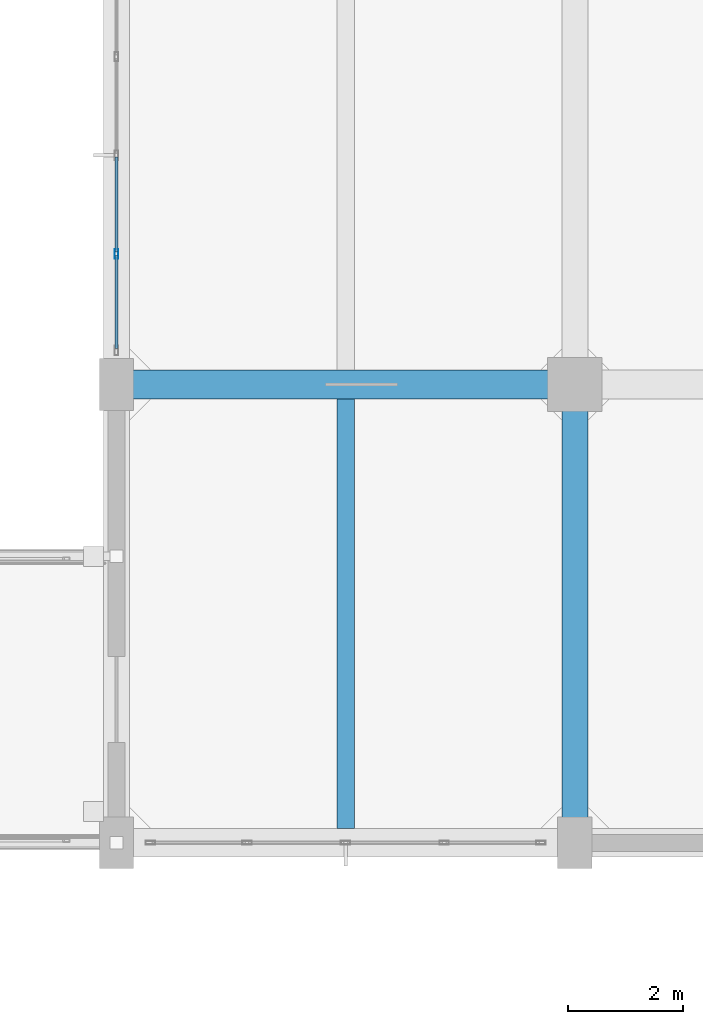
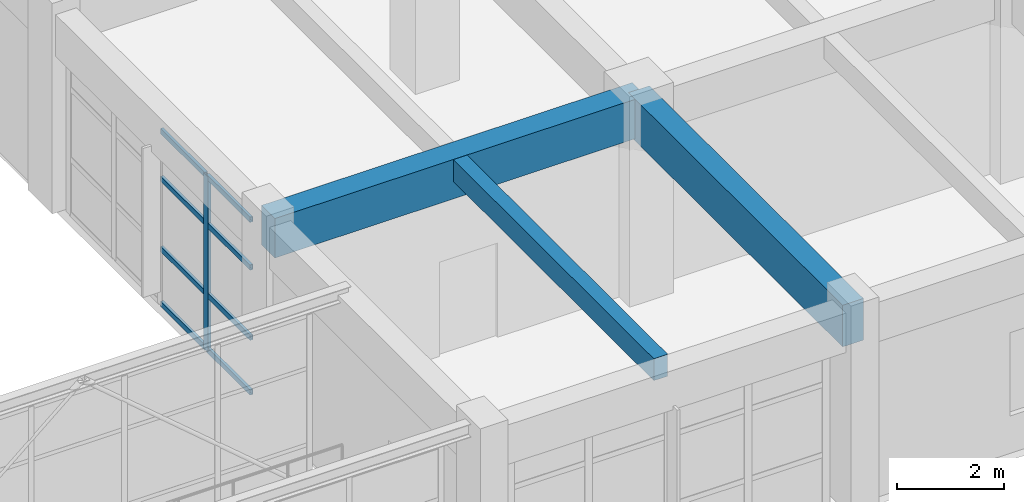
# One storey, part 106 of 248: 9 members, 3 beams, 1 element without a shape of its own.
"""IFC4 building model written with IfcOpenShell, lengths in metres."""

from ifc_helpers import new_model, si_unit, direction, frame, origin, origin_2d, place, context, subcontext, project, spatial, rectangle, hollow_rectangle, extrude, material, layer, layer_set, material_profile, profile_set, type_object, element, aggregate, save


model = new_model("IFC4")

# Units and contexts
model_context = context("Model", 3, precision=1e-05, world=origin(), true_north=direction((0.0, 1.0)))
body_context = subcontext(model_context, "Body", "Model", "MODEL_VIEW")
ifc_project = project(units=[si_unit("LENGTHUNIT", "METRE"), si_unit("AREAUNIT", "SQUARE_METRE"), si_unit("VOLUMEUNIT", "CUBIC_METRE"), si_unit("PLANEANGLEUNIT", "RADIAN"), si_unit("MASSUNIT", "GRAM", prefix="KILO")], contexts=[model_context])

# Site, building, storey
site_placement = place(None, origin())
site = spatial("IfcSite", under=ifc_project, at=site_placement, CompositionType="ELEMENT")
building_placement = place(site_placement, origin())
building = spatial("IfcBuilding", under=site, at=building_placement, Name="Canggui Botanical Conservatory", CompositionType="ELEMENT")
storey_placement = place(building_placement, frame((0.0, 0.0, 5.39990234375)))
storey = spatial("IfcBuildingStorey", under=building, at=storey_placement, Name="L02", CompositionType="ELEMENT", Elevation=5.39990234375)

# Beams
ifc_material_1 = material(Name="Concrete C35", Category="concrete")
ifc_material_profile_1 = material_profile(ifc_material_1, rectangle(XDim=0.300048828125, YDim=0.5, at=origin_2d()), Name="RB 300x500")
ifc_profile_set_1 = profile_set([ifc_material_profile_1], Name="Concrete C35")
beam_type_1 = type_object("IfcBeamType", Name="BM-JST02", PredefinedType="JOIST", material=ifc_profile_set_1)
beam_1_placement = place(storey_placement, frame((134.0, 26.2548828125, 4.27001953125), z_axis=(0.0, 1.0, 0.0), x_axis=(-1.0, 0.0, 0.0)))
element("IfcBeam", 1, at=beam_1_placement, inside=storey, type_object=beam_type_1, Name="Secondary Floor Joist L02-1-1", PredefinedType="JOIST", context=body_context, shape_type="SweptSolid", body=[
    extrude(rectangle(XDim=0.300048828125, YDim=0.5, at=origin_2d()), origin(), (0.0, 0.0, 1.0), 7.490234375),
])
ifc_material_profile_2 = material_profile(ifc_material_1, rectangle(XDim=0.5, YDim=0.89990234375, at=origin_2d()), Name="RB 500x900")
ifc_profile_set_2 = profile_set([ifc_material_profile_2], Name="Concrete C35")
beam_type_2 = type_object("IfcBeamType", Name="BM-KL03", PredefinedType="BEAM", material=ifc_profile_set_2)
beam_2_placement = place(storey_placement, frame((130.0, 34.0, 4.070068359375), z_axis=(1.0, 0.0, 0.0), x_axis=(0.0, 1.0, 0.0)))
element("IfcBeam", 2, at=beam_2_placement, inside=storey, type_object=beam_type_2, Name="Frame Girder L02 Y34-1", PredefinedType="BEAM", context=body_context, shape_type="SweptSolid", body=[
    extrude(rectangle(XDim=0.5, YDim=0.89990234375, at=origin_2d()), origin(), (0.0, 0.0, 1.0), 8.0),
])
ifc_material_profile_3 = material_profile(ifc_material_1, rectangle(XDim=0.449951171875, YDim=0.949951171875, at=origin_2d()), Name="RB 450x950")
ifc_profile_set_3 = profile_set([ifc_material_profile_3], Name="Concrete C35")
beam_type_3 = type_object("IfcBeamType", Name="BM-KL04", PredefinedType="BEAM", material=ifc_profile_set_3)
beam_3_placement = place(storey_placement, frame((138.0, 26.0, 4.045166015625), z_axis=(0.0, 1.0, 0.0), x_axis=(-1.0, 0.0, 0.0)))
element("IfcBeam", 3, at=beam_3_placement, inside=storey, type_object=beam_type_3, Name="Frame Girder L02 X138-1", PredefinedType="BEAM", context=body_context, shape_type="SweptSolid", body=[
    extrude(rectangle(XDim=0.449951171875, YDim=0.949951171875, at=origin_2d()), origin(), (0.0, 0.0, 1.0), 8.0),
])

# Curtain wall, members
ifc_material_2 = material(Name="Thermally Broken Aluminium", Category="aluminium")
ifc_layer = layer(ifc_material_2, 0.1650390625, Name="Thermally Broken Aluminium", Category="aluminium")
ifc_layer_set = layer_set([ifc_layer], Name="Thermally Broken Aluminium")
curtain_wall_type = type_object("IfcCurtainWallType", Name="CW-UNIT-B", PredefinedType="USERDEFINED", material=ifc_layer_set)
curtain_wall_placement = place(storey_placement, origin())
curtain_wall = element("IfcCurtainWall", 4, at=curtain_wall_placement, inside=storey, type_object=curtain_wall_type, Name="Facade Curtain Wall CW-TWR-L02-08", ObjectType="UNITISED CURTAIN WALL", PredefinedType="USERDEFINED")
ifc_material_profile_4 = material_profile(ifc_material_2, hollow_rectangle(XDim=0.06494140625, YDim=0.1650390625, WallThickness=0.00390625, at=origin_2d()), Name="CWM 65x165x4")
ifc_profile_set_4 = profile_set([ifc_material_profile_4], Name="Thermally Broken Aluminium")
member_type_1 = type_object("IfcMemberType", Name="CWM-02", PredefinedType="MULLION", material=ifc_profile_set_4)
member_1_placement = place(storey_placement, frame((130.0, 36.280029296875, 0.0), z_axis=(0.0, 0.0, 1.0), x_axis=(-1.0, 0.0, 0.0)))
member_1 = element("IfcMember", 5, at=member_1_placement, type_object=member_type_1, Name="CW-02 mullion 2", PredefinedType="MULLION", context=body_context, shape_type="SweptSolid", body=[
    extrude(hollow_rectangle(XDim=0.06494140625, YDim=0.1650390625, WallThickness=0.00390625, at=origin_2d()), origin(), (0.0, 0.0, 1.0), 4.0),
])
ifc_material_profile_5 = material_profile(ifc_material_2, hollow_rectangle(XDim=0.06005859375, YDim=0.1201171875, WallThickness=0.00341796875, at=origin_2d()), Name="CWT 60x120x3.5")
ifc_profile_set_5 = profile_set([ifc_material_profile_5], Name="Thermally Broken Aluminium")
member_type_2 = type_object("IfcMemberType", Name="CWT-02", PredefinedType="USERDEFINED", material=ifc_profile_set_5)
member_2_placement = place(storey_placement, frame((130.0, 34.625, 0.030029296875), z_axis=(0.0, 1.0, 0.0), x_axis=(-1.0, 0.0, 0.0)))
member_2 = element("IfcMember", 6, at=member_2_placement, type_object=member_type_2, Name="CW-02 transom 1.1", ObjectType="TRANSOM", PredefinedType="USERDEFINED", context=body_context, shape_type="SweptSolid", body=[
    extrude(hollow_rectangle(XDim=0.06005859375, YDim=0.1201171875, WallThickness=0.00341796875, at=origin_2d()), origin(), (0.0, 0.0, 1.0), 1.62255859375),
])
member_3_placement = place(storey_placement, frame((130.0, 34.625, 1.280029296875), z_axis=(0.0, 1.0, 0.0), x_axis=(-1.0, 0.0, 0.0)))
member_3 = element("IfcMember", 7, at=member_3_placement, type_object=member_type_2, Name="CW-02 transom 1.2", ObjectType="TRANSOM", PredefinedType="USERDEFINED", context=body_context, shape_type="SweptSolid", body=[
    extrude(hollow_rectangle(XDim=0.06005859375, YDim=0.1201171875, WallThickness=0.00341796875, at=origin_2d()), origin(), (0.0, 0.0, 1.0), 1.62255859375),
])
member_4_placement = place(storey_placement, frame((130.0, 34.625, 2.880126953125), z_axis=(0.0, 1.0, 0.0), x_axis=(-1.0, 0.0, 0.0)))
member_4 = element("IfcMember", 8, at=member_4_placement, type_object=member_type_2, Name="CW-02 transom 1.3", ObjectType="TRANSOM", PredefinedType="USERDEFINED", context=body_context, shape_type="SweptSolid", body=[
    extrude(hollow_rectangle(XDim=0.06005859375, YDim=0.1201171875, WallThickness=0.00341796875, at=origin_2d()), origin(), (0.0, 0.0, 1.0), 1.62255859375),
])
member_5_placement = place(storey_placement, frame((130.0, 34.625, 3.97021484375), z_axis=(0.0, 1.0, 0.0), x_axis=(-1.0, 0.0, 0.0)))
member_5 = element("IfcMember", 9, at=member_5_placement, type_object=member_type_2, Name="CW-02 transom 1.4", ObjectType="TRANSOM", PredefinedType="USERDEFINED", context=body_context, shape_type="SweptSolid", body=[
    extrude(hollow_rectangle(XDim=0.06005859375, YDim=0.1201171875, WallThickness=0.00341796875, at=origin_2d()), origin(), (0.0, 0.0, 1.0), 1.62255859375),
])
member_6_placement = place(storey_placement, frame((130.0, 36.3125, 0.030029296875), z_axis=(0.0, 1.0, 0.0), x_axis=(-1.0, 0.0, 0.0)))
member_6 = element("IfcMember", 10, at=member_6_placement, type_object=member_type_2, Name="CW-02 transom 2.1", ObjectType="TRANSOM", PredefinedType="USERDEFINED", context=body_context, shape_type="SweptSolid", body=[
    extrude(hollow_rectangle(XDim=0.06005859375, YDim=0.1201171875, WallThickness=0.00341796875, at=origin_2d()), origin(), (0.0, 0.0, 1.0), 1.655029296875),
])
member_7_placement = place(storey_placement, frame((130.0, 36.3125, 1.280029296875), z_axis=(0.0, 1.0, 0.0), x_axis=(-1.0, 0.0, 0.0)))
member_7 = element("IfcMember", 11, at=member_7_placement, type_object=member_type_2, Name="CW-02 transom 2.2", ObjectType="TRANSOM", PredefinedType="USERDEFINED", context=body_context, shape_type="SweptSolid", body=[
    extrude(hollow_rectangle(XDim=0.06005859375, YDim=0.1201171875, WallThickness=0.00341796875, at=origin_2d()), origin(), (0.0, 0.0, 1.0), 1.655029296875),
])
member_8_placement = place(storey_placement, frame((130.0, 36.3125, 2.880126953125), z_axis=(0.0, 1.0, 0.0), x_axis=(-1.0, 0.0, 0.0)))
member_8 = element("IfcMember", 12, at=member_8_placement, type_object=member_type_2, Name="CW-02 transom 2.3", ObjectType="TRANSOM", PredefinedType="USERDEFINED", context=body_context, shape_type="SweptSolid", body=[
    extrude(hollow_rectangle(XDim=0.06005859375, YDim=0.1201171875, WallThickness=0.00341796875, at=origin_2d()), origin(), (0.0, 0.0, 1.0), 1.655029296875),
])
member_9_placement = place(storey_placement, frame((130.0, 36.3125, 3.97021484375), z_axis=(0.0, 1.0, 0.0), x_axis=(-1.0, 0.0, 0.0)))
member_9 = element("IfcMember", 13, at=member_9_placement, type_object=member_type_2, Name="CW-02 transom 2.4", ObjectType="TRANSOM", PredefinedType="USERDEFINED", context=body_context, shape_type="SweptSolid", body=[
    extrude(hollow_rectangle(XDim=0.06005859375, YDim=0.1201171875, WallThickness=0.00341796875, at=origin_2d()), origin(), (0.0, 0.0, 1.0), 1.655029296875),
])
aggregate(curtain_wall, [member_1, member_2, member_3, member_4, member_5, member_6, member_7, member_8, member_9])

save(model, "model.ifc")
